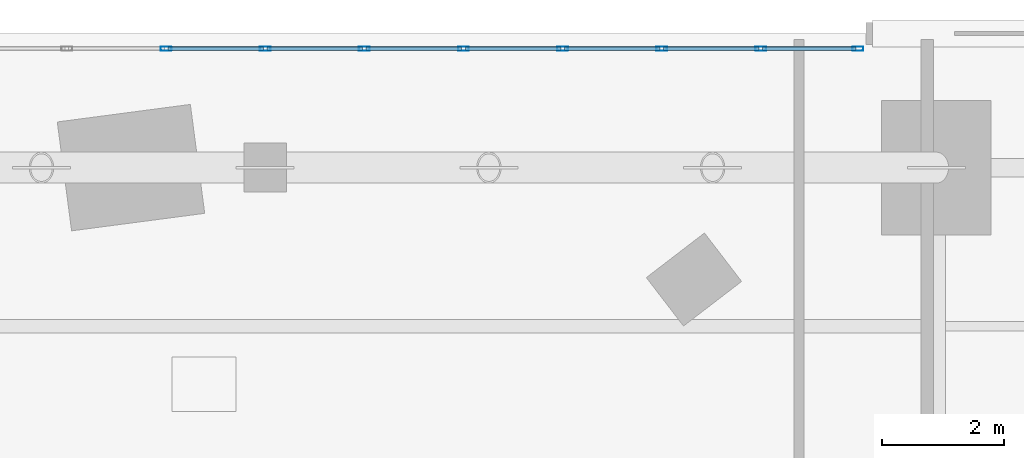
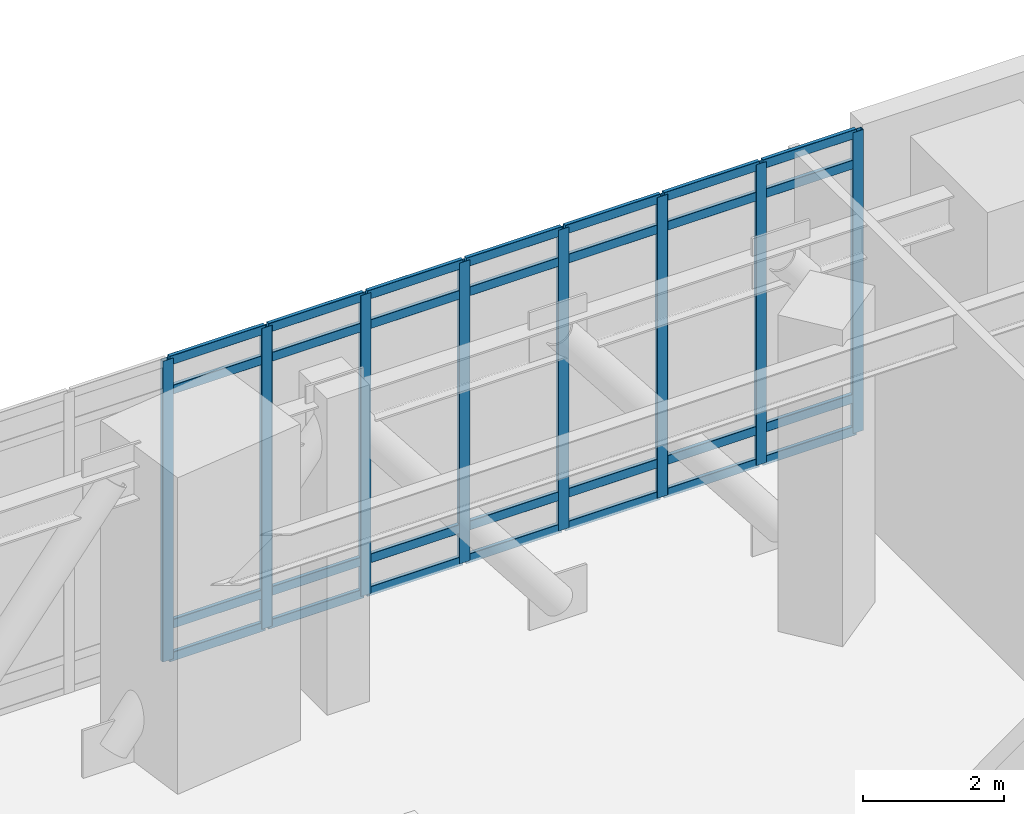
# One storey, part 10 of 19: 36 members, 1 element without a shape of its own.
"""IFC4 building model written with IfcOpenShell, lengths in metres."""

from ifc_helpers import new_model, si_unit, direction, frame, origin, origin_2d, place, context, subcontext, project, spatial, hollow_rectangle, extrude, material, layer, layer_set, material_profile, profile_set, type_object, element, aggregate, save


model = new_model("IFC4")

# Units and contexts
model_context = context("Model", 3, precision=1e-05, world=origin(), true_north=direction((0.0, 1.0)))
body_context = subcontext(model_context, "Body", "Model", "MODEL_VIEW")
ifc_project = project(units=[si_unit("LENGTHUNIT", "METRE"), si_unit("AREAUNIT", "SQUARE_METRE"), si_unit("VOLUMEUNIT", "CUBIC_METRE"), si_unit("PLANEANGLEUNIT", "RADIAN"), si_unit("MASSUNIT", "GRAM", prefix="KILO")], contexts=[model_context])

# Site, building, storey
site_placement = place(None, origin())
site = spatial("IfcSite", under=ifc_project, at=site_placement, CompositionType="ELEMENT")
building_placement = place(site_placement, origin())
building = spatial("IfcBuilding", under=site, at=building_placement, Name="Ndelora Gate Hotel", CompositionType="ELEMENT")
storey_placement = place(building_placement, frame((0.0, 0.0, 16.0)))
storey = spatial("IfcBuildingStorey", under=building, at=storey_placement, Name="L03", CompositionType="ELEMENT", Elevation=16.0)

# Curtain wall, members
ifc_material_1 = material(Name="Bronze Anodised Unitised Aluminium and Low-E Glass", Category="aluminium")
ifc_layer = layer(ifc_material_1, 0.219970703125)
ifc_layer_set = layer_set([ifc_layer], Name="Bronze Anodised Unitised Aluminium and Low-E Glass")
curtain_wall_type = type_object("IfcCurtainWallType", Name="CW-SYS-2", PredefinedType="NOTDEFINED", material=ifc_layer_set)
curtain_wall_placement = place(storey_placement, origin())
curtain_wall = element("IfcCurtainWall", 1, at=curtain_wall_placement, inside=storey, type_object=curtain_wall_type, Name="L03 North Banquet Pre-Function Curtain Wall CW2", PredefinedType="NOTDEFINED")
ifc_material_2 = material(Name="Bronze Anodised Aluminium 6063-T6", Category="aluminium")
ifc_material_profile_1 = material_profile(ifc_material_2, hollow_rectangle(XDim=0.070068359375, YDim=0.179931640625, WallThickness=0.0048828125, InnerFilletRadius=0.0048828125, OuterFilletRadius=0.010009765625, at=origin_2d()), Name="ALU 180x70x5")
ifc_profile_set_1 = profile_set([ifc_material_profile_1], Name="Bronze Anodised Aluminium 6063-T6")
member_type_1 = type_object("IfcMemberType", Name="MB-CW-MUL180", PredefinedType="MULLION", material=ifc_profile_set_1)
member_1_placement = place(storey_placement, frame((9.715087890625, 20.75, -0.00390625), z_axis=(0.0, 0.0, 1.0), x_axis=(0.0, -1.0, 0.0)))
member_1 = element("IfcMember", 2, at=member_1_placement, type_object=member_type_1, Name="CW2 mullion 1", PredefinedType="MULLION", context=body_context, shape_type="SweptSolid", body=[
    extrude(hollow_rectangle(XDim=0.070068359375, YDim=0.179931640625, WallThickness=0.0048828125, InnerFilletRadius=0.0048828125, OuterFilletRadius=0.010009765625, at=origin_2d()), origin(), (0.0, 0.0, 1.0), 5.22802734375),
])
member_2_placement = place(storey_placement, frame((8.125, 20.75, -0.00390625), z_axis=(0.0, 0.0, 1.0), x_axis=(0.0, -1.0, 0.0)))
member_2 = element("IfcMember", 3, at=member_2_placement, type_object=member_type_1, Name="CW2 mullion 2", PredefinedType="MULLION", context=body_context, shape_type="SweptSolid", body=[
    extrude(hollow_rectangle(XDim=0.070068359375, YDim=0.179931640625, WallThickness=0.0048828125, InnerFilletRadius=0.0048828125, OuterFilletRadius=0.010009765625, at=origin_2d()), origin(), (0.0, 0.0, 1.0), 5.22802734375),
])
member_3_placement = place(storey_placement, frame((6.5, 20.75, -0.00390625), z_axis=(0.0, 0.0, 1.0), x_axis=(0.0, -1.0, 0.0)))
member_3 = element("IfcMember", 4, at=member_3_placement, type_object=member_type_1, Name="CW2 mullion 3", PredefinedType="MULLION", context=body_context, shape_type="SweptSolid", body=[
    extrude(hollow_rectangle(XDim=0.070068359375, YDim=0.179931640625, WallThickness=0.0048828125, InnerFilletRadius=0.0048828125, OuterFilletRadius=0.010009765625, at=origin_2d()), origin(), (0.0, 0.0, 1.0), 5.22802734375),
])
member_4_placement = place(storey_placement, frame((4.875, 20.75, -0.00390625), z_axis=(0.0, 0.0, 1.0), x_axis=(0.0, -1.0, 0.0)))
member_4 = element("IfcMember", 5, at=member_4_placement, type_object=member_type_1, Name="CW2 mullion 4", PredefinedType="MULLION", context=body_context, shape_type="SweptSolid", body=[
    extrude(hollow_rectangle(XDim=0.070068359375, YDim=0.179931640625, WallThickness=0.0048828125, InnerFilletRadius=0.0048828125, OuterFilletRadius=0.010009765625, at=origin_2d()), origin(), (0.0, 0.0, 1.0), 5.22802734375),
])
member_5_placement = place(storey_placement, frame((3.25, 20.75, -0.00390625), z_axis=(0.0, 0.0, 1.0), x_axis=(0.0, -1.0, 0.0)))
member_5 = element("IfcMember", 6, at=member_5_placement, type_object=member_type_1, Name="CW2 mullion 5", PredefinedType="MULLION", context=body_context, shape_type="SweptSolid", body=[
    extrude(hollow_rectangle(XDim=0.070068359375, YDim=0.179931640625, WallThickness=0.0048828125, InnerFilletRadius=0.0048828125, OuterFilletRadius=0.010009765625, at=origin_2d()), origin(), (0.0, 0.0, 1.0), 5.22802734375),
])
member_6_placement = place(storey_placement, frame((1.625, 20.75, -0.00390625), z_axis=(0.0, 0.0, 1.0), x_axis=(0.0, -1.0, 0.0)))
member_6 = element("IfcMember", 7, at=member_6_placement, type_object=member_type_1, Name="CW2 mullion 6", PredefinedType="MULLION", context=body_context, shape_type="SweptSolid", body=[
    extrude(hollow_rectangle(XDim=0.070068359375, YDim=0.179931640625, WallThickness=0.0048828125, InnerFilletRadius=0.0048828125, OuterFilletRadius=0.010009765625, at=origin_2d()), origin(), (0.0, 0.0, 1.0), 5.22802734375),
])
member_7_placement = place(storey_placement, frame((0.0, 20.75, -0.00390625), z_axis=(0.0, 0.0, 1.0), x_axis=(0.0, -1.0, 0.0)))
member_7 = element("IfcMember", 8, at=member_7_placement, type_object=member_type_1, Name="CW2 mullion 7", PredefinedType="MULLION", context=body_context, shape_type="SweptSolid", body=[
    extrude(hollow_rectangle(XDim=0.070068359375, YDim=0.179931640625, WallThickness=0.0048828125, InnerFilletRadius=0.0048828125, OuterFilletRadius=0.010009765625, at=origin_2d()), origin(), (0.0, 0.0, 1.0), 5.22802734375),
])
member_8_placement = place(storey_placement, frame((-1.625, 20.75, -0.00390625), z_axis=(0.0, 0.0, 1.0), x_axis=(0.0, -1.0, 0.0)))
member_8 = element("IfcMember", 9, at=member_8_placement, type_object=member_type_1, Name="CW2 mullion 8", PredefinedType="MULLION", context=body_context, shape_type="SweptSolid", body=[
    extrude(hollow_rectangle(XDim=0.070068359375, YDim=0.179931640625, WallThickness=0.0048828125, InnerFilletRadius=0.0048828125, OuterFilletRadius=0.010009765625, at=origin_2d()), origin(), (0.0, 0.0, 1.0), 5.22802734375),
])
ifc_material_profile_2 = material_profile(ifc_material_2, hollow_rectangle(XDim=0.06494140625, YDim=0.159912109375, WallThickness=0.00390625, InnerFilletRadius=0.00390625, OuterFilletRadius=0.008056640625, at=origin_2d()), Name="ALU 160x65x4")
ifc_profile_set_2 = profile_set([ifc_material_profile_2], Name="Bronze Anodised Aluminium 6063-T6")
member_type_2 = type_object("IfcMemberType", Name="MB-CW-TRN150", PredefinedType="USERDEFINED", material=ifc_profile_set_2)
member_9_placement = place(storey_placement, frame((9.68603515625, 20.75, 0.032470703125), z_axis=(-1.0, 0.0, 0.0), x_axis=(0.0, -1.0, 0.0)))
member_9 = element("IfcMember", 10, at=member_9_placement, type_object=member_type_2, Name="CW2 transom 1.1", ObjectType="TRANSOM", PredefinedType="USERDEFINED", context=body_context, shape_type="SweptSolid", body=[
    extrude(hollow_rectangle(XDim=0.06494140625, YDim=0.159912109375, WallThickness=0.00390625, InnerFilletRadius=0.00390625, OuterFilletRadius=0.008056640625, at=origin_2d()), origin(), (0.0, 0.0, 1.0), 1.531982421875),
])
member_10_placement = place(storey_placement, frame((9.68603515625, 20.75, 0.60009765625), z_axis=(-1.0, 0.0, 0.0), x_axis=(0.0, -1.0, 0.0)))
member_10 = element("IfcMember", 11, at=member_10_placement, type_object=member_type_2, Name="CW2 transom 1.2", ObjectType="TRANSOM", PredefinedType="USERDEFINED", context=body_context, shape_type="SweptSolid", body=[
    extrude(hollow_rectangle(XDim=0.06494140625, YDim=0.159912109375, WallThickness=0.00390625, InnerFilletRadius=0.00390625, OuterFilletRadius=0.008056640625, at=origin_2d()), origin(), (0.0, 0.0, 1.0), 1.531982421875),
])
member_11_placement = place(storey_placement, frame((9.68603515625, 20.75, 4.669921875), z_axis=(-1.0, 0.0, 0.0), x_axis=(0.0, -1.0, 0.0)))
member_11 = element("IfcMember", 12, at=member_11_placement, type_object=member_type_2, Name="CW2 transom 1.3", ObjectType="TRANSOM", PredefinedType="USERDEFINED", context=body_context, shape_type="SweptSolid", body=[
    extrude(hollow_rectangle(XDim=0.06494140625, YDim=0.159912109375, WallThickness=0.00390625, InnerFilletRadius=0.00390625, OuterFilletRadius=0.008056640625, at=origin_2d()), origin(), (0.0, 0.0, 1.0), 1.531982421875),
])
member_12_placement = place(storey_placement, frame((9.68603515625, 20.75, 5.1875), z_axis=(-1.0, 0.0, 0.0), x_axis=(0.0, -1.0, 0.0)))
member_12 = element("IfcMember", 13, at=member_12_placement, type_object=member_type_2, Name="CW2 transom 1.4", ObjectType="TRANSOM", PredefinedType="USERDEFINED", context=body_context, shape_type="SweptSolid", body=[
    extrude(hollow_rectangle(XDim=0.06494140625, YDim=0.159912109375, WallThickness=0.00390625, InnerFilletRadius=0.00390625, OuterFilletRadius=0.008056640625, at=origin_2d()), origin(), (0.0, 0.0, 1.0), 1.531982421875),
])
member_13_placement = place(storey_placement, frame((8.095947265625, 20.75, 0.032470703125), z_axis=(-1.0, 0.0, 0.0), x_axis=(0.0, -1.0, 0.0)))
member_13 = element("IfcMember", 14, at=member_13_placement, type_object=member_type_2, Name="CW2 transom 2.1", ObjectType="TRANSOM", PredefinedType="USERDEFINED", context=body_context, shape_type="SweptSolid", body=[
    extrude(hollow_rectangle(XDim=0.06494140625, YDim=0.159912109375, WallThickness=0.00390625, InnerFilletRadius=0.00390625, OuterFilletRadius=0.008056640625, at=origin_2d()), origin(), (0.0, 0.0, 1.0), 1.56689453125),
])
member_14_placement = place(storey_placement, frame((8.095947265625, 20.75, 0.60009765625), z_axis=(-1.0, 0.0, 0.0), x_axis=(0.0, -1.0, 0.0)))
member_14 = element("IfcMember", 15, at=member_14_placement, type_object=member_type_2, Name="CW2 transom 2.2", ObjectType="TRANSOM", PredefinedType="USERDEFINED", context=body_context, shape_type="SweptSolid", body=[
    extrude(hollow_rectangle(XDim=0.06494140625, YDim=0.159912109375, WallThickness=0.00390625, InnerFilletRadius=0.00390625, OuterFilletRadius=0.008056640625, at=origin_2d()), origin(), (0.0, 0.0, 1.0), 1.56689453125),
])
member_15_placement = place(storey_placement, frame((8.095947265625, 20.75, 4.669921875), z_axis=(-1.0, 0.0, 0.0), x_axis=(0.0, -1.0, 0.0)))
member_15 = element("IfcMember", 16, at=member_15_placement, type_object=member_type_2, Name="CW2 transom 2.3", ObjectType="TRANSOM", PredefinedType="USERDEFINED", context=body_context, shape_type="SweptSolid", body=[
    extrude(hollow_rectangle(XDim=0.06494140625, YDim=0.159912109375, WallThickness=0.00390625, InnerFilletRadius=0.00390625, OuterFilletRadius=0.008056640625, at=origin_2d()), origin(), (0.0, 0.0, 1.0), 1.56689453125),
])
member_16_placement = place(storey_placement, frame((8.095947265625, 20.75, 5.1875), z_axis=(-1.0, 0.0, 0.0), x_axis=(0.0, -1.0, 0.0)))
member_16 = element("IfcMember", 17, at=member_16_placement, type_object=member_type_2, Name="CW2 transom 2.4", ObjectType="TRANSOM", PredefinedType="USERDEFINED", context=body_context, shape_type="SweptSolid", body=[
    extrude(hollow_rectangle(XDim=0.06494140625, YDim=0.159912109375, WallThickness=0.00390625, InnerFilletRadius=0.00390625, OuterFilletRadius=0.008056640625, at=origin_2d()), origin(), (0.0, 0.0, 1.0), 1.56689453125),
])
member_17_placement = place(storey_placement, frame((6.470947265625, 20.75, 0.032470703125), z_axis=(-1.0, 0.0, 0.0), x_axis=(0.0, -1.0, 0.0)))
member_17 = element("IfcMember", 18, at=member_17_placement, type_object=member_type_2, Name="CW2 transom 3.1", ObjectType="TRANSOM", PredefinedType="USERDEFINED", context=body_context, shape_type="SweptSolid", body=[
    extrude(hollow_rectangle(XDim=0.06494140625, YDim=0.159912109375, WallThickness=0.00390625, InnerFilletRadius=0.00390625, OuterFilletRadius=0.008056640625, at=origin_2d()), origin(), (0.0, 0.0, 1.0), 1.56689453125),
])
member_18_placement = place(storey_placement, frame((6.470947265625, 20.75, 0.60009765625), z_axis=(-1.0, 0.0, 0.0), x_axis=(0.0, -1.0, 0.0)))
member_18 = element("IfcMember", 19, at=member_18_placement, type_object=member_type_2, Name="CW2 transom 3.2", ObjectType="TRANSOM", PredefinedType="USERDEFINED", context=body_context, shape_type="SweptSolid", body=[
    extrude(hollow_rectangle(XDim=0.06494140625, YDim=0.159912109375, WallThickness=0.00390625, InnerFilletRadius=0.00390625, OuterFilletRadius=0.008056640625, at=origin_2d()), origin(), (0.0, 0.0, 1.0), 1.56689453125),
])
member_19_placement = place(storey_placement, frame((6.470947265625, 20.75, 4.669921875), z_axis=(-1.0, 0.0, 0.0), x_axis=(0.0, -1.0, 0.0)))
member_19 = element("IfcMember", 20, at=member_19_placement, type_object=member_type_2, Name="CW2 transom 3.3", ObjectType="TRANSOM", PredefinedType="USERDEFINED", context=body_context, shape_type="SweptSolid", body=[
    extrude(hollow_rectangle(XDim=0.06494140625, YDim=0.159912109375, WallThickness=0.00390625, InnerFilletRadius=0.00390625, OuterFilletRadius=0.008056640625, at=origin_2d()), origin(), (0.0, 0.0, 1.0), 1.56689453125),
])
member_20_placement = place(storey_placement, frame((6.470947265625, 20.75, 5.1875), z_axis=(-1.0, 0.0, 0.0), x_axis=(0.0, -1.0, 0.0)))
member_20 = element("IfcMember", 21, at=member_20_placement, type_object=member_type_2, Name="CW2 transom 3.4", ObjectType="TRANSOM", PredefinedType="USERDEFINED", context=body_context, shape_type="SweptSolid", body=[
    extrude(hollow_rectangle(XDim=0.06494140625, YDim=0.159912109375, WallThickness=0.00390625, InnerFilletRadius=0.00390625, OuterFilletRadius=0.008056640625, at=origin_2d()), origin(), (0.0, 0.0, 1.0), 1.56689453125),
])
member_21_placement = place(storey_placement, frame((4.845947265625, 20.75, 0.032470703125), z_axis=(-1.0, 0.0, 0.0), x_axis=(0.0, -1.0, 0.0)))
member_21 = element("IfcMember", 22, at=member_21_placement, type_object=member_type_2, Name="CW2 transom 4.1", ObjectType="TRANSOM", PredefinedType="USERDEFINED", context=body_context, shape_type="SweptSolid", body=[
    extrude(hollow_rectangle(XDim=0.06494140625, YDim=0.159912109375, WallThickness=0.00390625, InnerFilletRadius=0.00390625, OuterFilletRadius=0.008056640625, at=origin_2d()), origin(), (0.0, 0.0, 1.0), 1.56689453125),
])
member_22_placement = place(storey_placement, frame((4.845947265625, 20.75, 0.60009765625), z_axis=(-1.0, 0.0, 0.0), x_axis=(0.0, -1.0, 0.0)))
member_22 = element("IfcMember", 23, at=member_22_placement, type_object=member_type_2, Name="CW2 transom 4.2", ObjectType="TRANSOM", PredefinedType="USERDEFINED", context=body_context, shape_type="SweptSolid", body=[
    extrude(hollow_rectangle(XDim=0.06494140625, YDim=0.159912109375, WallThickness=0.00390625, InnerFilletRadius=0.00390625, OuterFilletRadius=0.008056640625, at=origin_2d()), origin(), (0.0, 0.0, 1.0), 1.56689453125),
])
member_23_placement = place(storey_placement, frame((4.845947265625, 20.75, 4.669921875), z_axis=(-1.0, 0.0, 0.0), x_axis=(0.0, -1.0, 0.0)))
member_23 = element("IfcMember", 24, at=member_23_placement, type_object=member_type_2, Name="CW2 transom 4.3", ObjectType="TRANSOM", PredefinedType="USERDEFINED", context=body_context, shape_type="SweptSolid", body=[
    extrude(hollow_rectangle(XDim=0.06494140625, YDim=0.159912109375, WallThickness=0.00390625, InnerFilletRadius=0.00390625, OuterFilletRadius=0.008056640625, at=origin_2d()), origin(), (0.0, 0.0, 1.0), 1.56689453125),
])
member_24_placement = place(storey_placement, frame((4.845947265625, 20.75, 5.1875), z_axis=(-1.0, 0.0, 0.0), x_axis=(0.0, -1.0, 0.0)))
member_24 = element("IfcMember", 25, at=member_24_placement, type_object=member_type_2, Name="CW2 transom 4.4", ObjectType="TRANSOM", PredefinedType="USERDEFINED", context=body_context, shape_type="SweptSolid", body=[
    extrude(hollow_rectangle(XDim=0.06494140625, YDim=0.159912109375, WallThickness=0.00390625, InnerFilletRadius=0.00390625, OuterFilletRadius=0.008056640625, at=origin_2d()), origin(), (0.0, 0.0, 1.0), 1.56689453125),
])
member_25_placement = place(storey_placement, frame((3.220947265625, 20.75, 0.032470703125), z_axis=(-1.0, 0.0, 0.0), x_axis=(0.0, -1.0, 0.0)))
member_25 = element("IfcMember", 26, at=member_25_placement, type_object=member_type_2, Name="CW2 transom 5.1", ObjectType="TRANSOM", PredefinedType="USERDEFINED", context=body_context, shape_type="SweptSolid", body=[
    extrude(hollow_rectangle(XDim=0.06494140625, YDim=0.159912109375, WallThickness=0.00390625, InnerFilletRadius=0.00390625, OuterFilletRadius=0.008056640625, at=origin_2d()), origin(), (0.0, 0.0, 1.0), 1.56689453125),
])
member_26_placement = place(storey_placement, frame((3.220947265625, 20.75, 0.60009765625), z_axis=(-1.0, 0.0, 0.0), x_axis=(0.0, -1.0, 0.0)))
member_26 = element("IfcMember", 27, at=member_26_placement, type_object=member_type_2, Name="CW2 transom 5.2", ObjectType="TRANSOM", PredefinedType="USERDEFINED", context=body_context, shape_type="SweptSolid", body=[
    extrude(hollow_rectangle(XDim=0.06494140625, YDim=0.159912109375, WallThickness=0.00390625, InnerFilletRadius=0.00390625, OuterFilletRadius=0.008056640625, at=origin_2d()), origin(), (0.0, 0.0, 1.0), 1.56689453125),
])
member_27_placement = place(storey_placement, frame((3.220947265625, 20.75, 4.669921875), z_axis=(-1.0, 0.0, 0.0), x_axis=(0.0, -1.0, 0.0)))
member_27 = element("IfcMember", 28, at=member_27_placement, type_object=member_type_2, Name="CW2 transom 5.3", ObjectType="TRANSOM", PredefinedType="USERDEFINED", context=body_context, shape_type="SweptSolid", body=[
    extrude(hollow_rectangle(XDim=0.06494140625, YDim=0.159912109375, WallThickness=0.00390625, InnerFilletRadius=0.00390625, OuterFilletRadius=0.008056640625, at=origin_2d()), origin(), (0.0, 0.0, 1.0), 1.56689453125),
])
member_28_placement = place(storey_placement, frame((3.220947265625, 20.75, 5.1875), z_axis=(-1.0, 0.0, 0.0), x_axis=(0.0, -1.0, 0.0)))
member_28 = element("IfcMember", 29, at=member_28_placement, type_object=member_type_2, Name="CW2 transom 5.4", ObjectType="TRANSOM", PredefinedType="USERDEFINED", context=body_context, shape_type="SweptSolid", body=[
    extrude(hollow_rectangle(XDim=0.06494140625, YDim=0.159912109375, WallThickness=0.00390625, InnerFilletRadius=0.00390625, OuterFilletRadius=0.008056640625, at=origin_2d()), origin(), (0.0, 0.0, 1.0), 1.56689453125),
])
member_29_placement = place(storey_placement, frame((1.595947265625, 20.75, 0.032470703125), z_axis=(-1.0, 0.0, 0.0), x_axis=(0.0, -1.0, 0.0)))
member_29 = element("IfcMember", 30, at=member_29_placement, type_object=member_type_2, Name="CW2 transom 6.1", ObjectType="TRANSOM", PredefinedType="USERDEFINED", context=body_context, shape_type="SweptSolid", body=[
    extrude(hollow_rectangle(XDim=0.06494140625, YDim=0.159912109375, WallThickness=0.00390625, InnerFilletRadius=0.00390625, OuterFilletRadius=0.008056640625, at=origin_2d()), origin(), (0.0, 0.0, 1.0), 1.56689453125),
])
member_30_placement = place(storey_placement, frame((1.595947265625, 20.75, 0.60009765625), z_axis=(-1.0, 0.0, 0.0), x_axis=(0.0, -1.0, 0.0)))
member_30 = element("IfcMember", 31, at=member_30_placement, type_object=member_type_2, Name="CW2 transom 6.2", ObjectType="TRANSOM", PredefinedType="USERDEFINED", context=body_context, shape_type="SweptSolid", body=[
    extrude(hollow_rectangle(XDim=0.06494140625, YDim=0.159912109375, WallThickness=0.00390625, InnerFilletRadius=0.00390625, OuterFilletRadius=0.008056640625, at=origin_2d()), origin(), (0.0, 0.0, 1.0), 1.56689453125),
])
member_31_placement = place(storey_placement, frame((1.595947265625, 20.75, 4.669921875), z_axis=(-1.0, 0.0, 0.0), x_axis=(0.0, -1.0, 0.0)))
member_31 = element("IfcMember", 32, at=member_31_placement, type_object=member_type_2, Name="CW2 transom 6.3", ObjectType="TRANSOM", PredefinedType="USERDEFINED", context=body_context, shape_type="SweptSolid", body=[
    extrude(hollow_rectangle(XDim=0.06494140625, YDim=0.159912109375, WallThickness=0.00390625, InnerFilletRadius=0.00390625, OuterFilletRadius=0.008056640625, at=origin_2d()), origin(), (0.0, 0.0, 1.0), 1.56689453125),
])
member_32_placement = place(storey_placement, frame((1.595947265625, 20.75, 5.1875), z_axis=(-1.0, 0.0, 0.0), x_axis=(0.0, -1.0, 0.0)))
member_32 = element("IfcMember", 33, at=member_32_placement, type_object=member_type_2, Name="CW2 transom 6.4", ObjectType="TRANSOM", PredefinedType="USERDEFINED", context=body_context, shape_type="SweptSolid", body=[
    extrude(hollow_rectangle(XDim=0.06494140625, YDim=0.159912109375, WallThickness=0.00390625, InnerFilletRadius=0.00390625, OuterFilletRadius=0.008056640625, at=origin_2d()), origin(), (0.0, 0.0, 1.0), 1.56689453125),
])
member_33_placement = place(storey_placement, frame((-0.029052734375, 20.75, 0.032470703125), z_axis=(-1.0, 0.0, 0.0), x_axis=(0.0, -1.0, 0.0)))
member_33 = element("IfcMember", 34, at=member_33_placement, type_object=member_type_2, Name="CW2 transom 7.1", ObjectType="TRANSOM", PredefinedType="USERDEFINED", context=body_context, shape_type="SweptSolid", body=[
    extrude(hollow_rectangle(XDim=0.06494140625, YDim=0.159912109375, WallThickness=0.00390625, InnerFilletRadius=0.00390625, OuterFilletRadius=0.008056640625, at=origin_2d()), origin(), (0.0, 0.0, 1.0), 1.56689453125),
])
member_34_placement = place(storey_placement, frame((-0.029052734375, 20.75, 0.60009765625), z_axis=(-1.0, 0.0, 0.0), x_axis=(0.0, -1.0, 0.0)))
member_34 = element("IfcMember", 35, at=member_34_placement, type_object=member_type_2, Name="CW2 transom 7.2", ObjectType="TRANSOM", PredefinedType="USERDEFINED", context=body_context, shape_type="SweptSolid", body=[
    extrude(hollow_rectangle(XDim=0.06494140625, YDim=0.159912109375, WallThickness=0.00390625, InnerFilletRadius=0.00390625, OuterFilletRadius=0.008056640625, at=origin_2d()), origin(), (0.0, 0.0, 1.0), 1.56689453125),
])
member_35_placement = place(storey_placement, frame((-0.029052734375, 20.75, 4.669921875), z_axis=(-1.0, 0.0, 0.0), x_axis=(0.0, -1.0, 0.0)))
member_35 = element("IfcMember", 36, at=member_35_placement, type_object=member_type_2, Name="CW2 transom 7.3", ObjectType="TRANSOM", PredefinedType="USERDEFINED", context=body_context, shape_type="SweptSolid", body=[
    extrude(hollow_rectangle(XDim=0.06494140625, YDim=0.159912109375, WallThickness=0.00390625, InnerFilletRadius=0.00390625, OuterFilletRadius=0.008056640625, at=origin_2d()), origin(), (0.0, 0.0, 1.0), 1.56689453125),
])
member_36_placement = place(storey_placement, frame((-0.029052734375, 20.75, 5.1875), z_axis=(-1.0, 0.0, 0.0), x_axis=(0.0, -1.0, 0.0)))
member_36 = element("IfcMember", 37, at=member_36_placement, type_object=member_type_2, Name="CW2 transom 7.4", ObjectType="TRANSOM", PredefinedType="USERDEFINED", context=body_context, shape_type="SweptSolid", body=[
    extrude(hollow_rectangle(XDim=0.06494140625, YDim=0.159912109375, WallThickness=0.00390625, InnerFilletRadius=0.00390625, OuterFilletRadius=0.008056640625, at=origin_2d()), origin(), (0.0, 0.0, 1.0), 1.56689453125),
])
aggregate(curtain_wall, [member_1, member_2, member_3, member_4, member_5, member_6, member_7, member_8, member_9, member_10, member_11, member_12, member_13, member_14, member_15, member_16, member_17, member_18, member_19, member_20, member_21, member_22, member_23, member_24, member_25, member_26, member_27, member_28, member_29, member_30, member_31, member_32, member_33, member_34, member_35, member_36])

save(model, "model.ifc")
